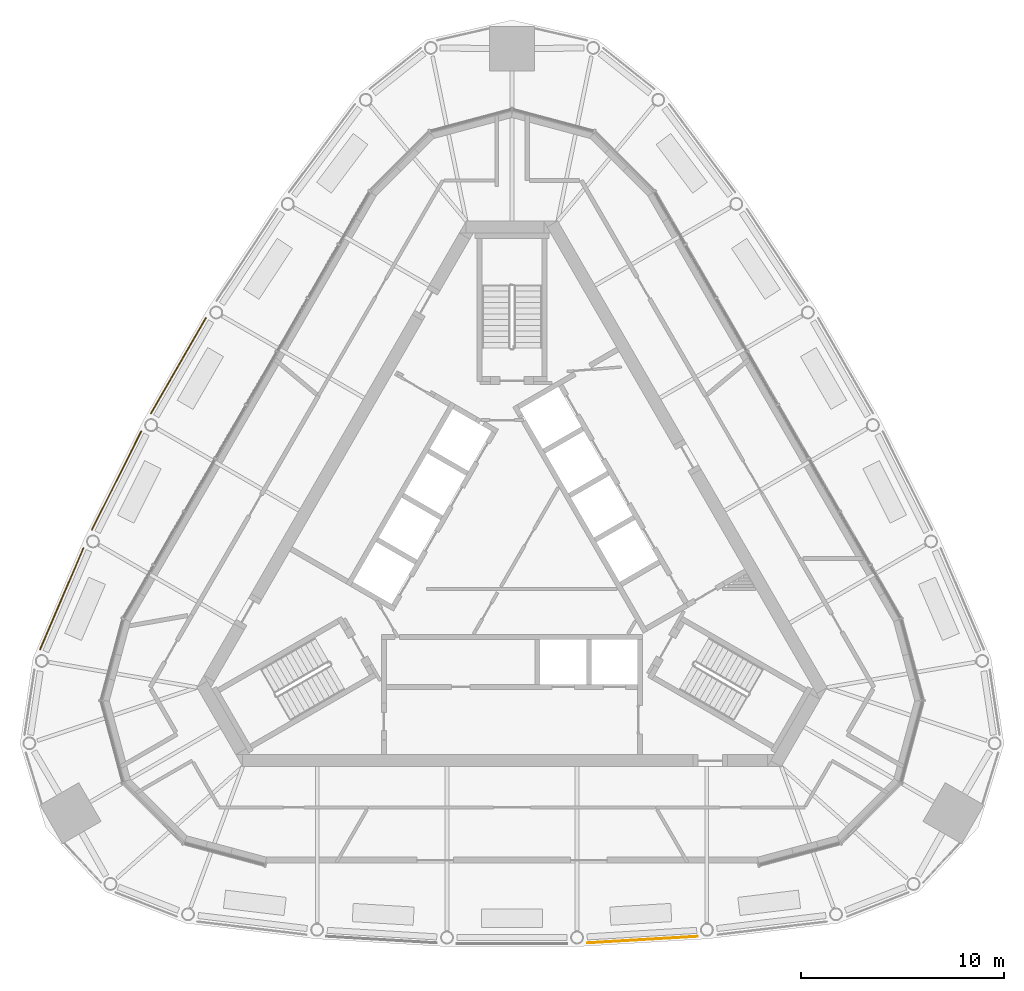
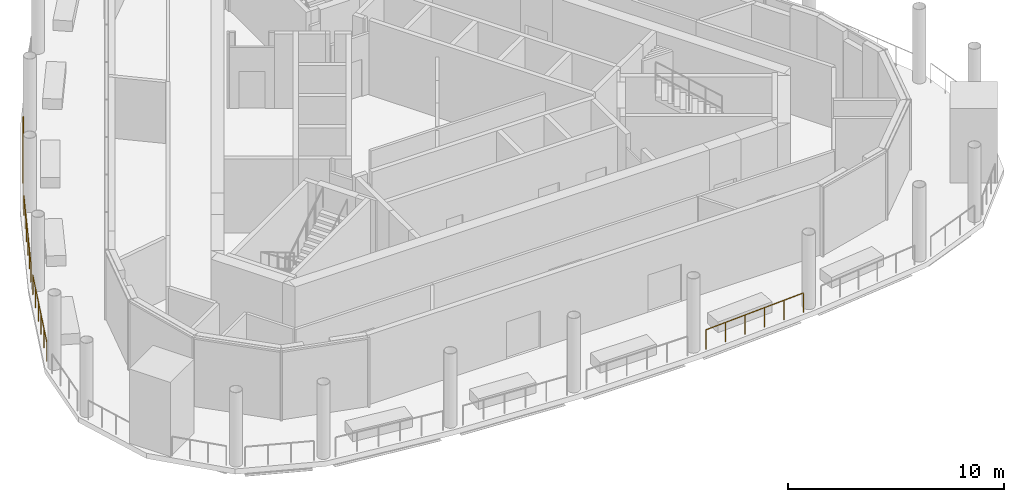
# One storey, part 11 of 15: 4 railings.
"""IFC4 building model written with IfcOpenShell, lengths in metres."""

import ifcopenshell
import ifcopenshell.guid

model = None  # the IFC model being written
_history = None  # IfcOwnerHistory: only IFC2X3 demands one
_inside = {}  # id of a spatial element -> (the spatial element, [elements in it])
_under = {}  # id of a project, library or spatial element -> (it, [spatial elements below it])
_declared = {}  # id of a project -> (the project, [libraries it declares])
_typed = {}  # id of a type object -> (the type object, [elements of that type])
_made_of = {}  # id of a material, layer set ... -> (it, [elements and type objects made of it])


def new_model(schema):
    """Start an empty IFC model of exactly this schema.

    Asked for "IFC4X3", IfcOpenShell would pick the latest addendum, in which some entities
    have other attributes; the version numbers below select the first issue.
    IFC2X3 requires an IfcOwnerHistory on every rooted entity: one is made here for all.
    """
    global model, _history
    if schema == "IFC4X3":
        model = ifcopenshell.file(schema_version=(4, 3, 0, 0))
    else:
        model = ifcopenshell.file(schema=schema)
    _inside.clear()
    _under.clear()
    _declared.clear()
    _typed.clear()
    _made_of.clear()
    _history = None
    if model.schema == "IFC2X3":
        org = make("IfcOrganization", Name="unknown")
        user = make(
            "IfcPersonAndOrganization",
            ThePerson=make("IfcPerson", FamilyName="unknown"),
            TheOrganization=org,
        )
        app = make(
            "IfcApplication",
            ApplicationDeveloper=org,
            Version="unknown",
            ApplicationFullName="unknown",
            ApplicationIdentifier="unknown",
        )
        _history = make(
            "IfcOwnerHistory",
            OwningUser=user,
            OwningApplication=app,
            ChangeAction="ADDED",
            CreationDate=0,
        )
    return model


def make(cls, **values):
    """One entity of the class cls with the attributes given. An attribute that is None is left unset."""
    return model.create_entity(
        cls, **{name: value for name, value in values.items() if value is not None}
    )


def rooted(cls, **values):
    """An entity with a GlobalId (a new one), such as an element, a storey or a relation."""
    return make(cls, GlobalId=ifcopenshell.guid.new(), OwnerHistory=_history, **values)


def si_unit(unit_type, name, prefix=None):
    """IfcSIUnit, for example si_unit("LENGTHUNIT", "METRE", prefix="MILLI")."""
    return make("IfcSIUnit", UnitType=unit_type, Prefix=prefix, Name=name)


def assignment(units):
    """IfcUnitAssignment: the units of a project."""
    return None if units is None else make("IfcUnitAssignment", Units=units)


def point(xyz):
    """IfcCartesianPoint."""
    return None if xyz is None else make("IfcCartesianPoint", Coordinates=xyz)


def direction(xyz):
    """IfcDirection."""
    return None if xyz is None else make("IfcDirection", DirectionRatios=xyz)


def frame(location, z_axis=None, x_axis=None):
    """IfcAxis2Placement3D, a coordinate frame: its origin and axes. An axis left out is left unset."""
    return make(
        "IfcAxis2Placement3D",
        Location=point(location),
        Axis=direction(z_axis),
        RefDirection=direction(x_axis),
    )


def frame_2d(location, x_axis=None):
    """IfcAxis2Placement2D, a coordinate frame in the plane: its origin and x axis."""
    return make(
        "IfcAxis2Placement2D", Location=point(location), RefDirection=direction(x_axis)
    )


def origin():
    """The frame at (0, 0, 0) with its axes left unset."""
    return frame((0.0, 0.0, 0.0))


def origin_2d():
    """The frame at (0, 0) in the plane with its x axis left unset."""
    return frame_2d((0.0, 0.0))


def place(relative_to, where):
    """IfcLocalPlacement: puts the frame where relative to a parent placement (None: the world)."""
    return make(
        "IfcLocalPlacement", PlacementRelTo=relative_to, RelativePlacement=where
    )


def context(
    kind, dimensions, precision=None, world=None, true_north=None, identifier=None
):
    """IfcGeometricRepresentationContext, for example the 3D "Model" context."""
    return make(
        "IfcGeometricRepresentationContext",
        ContextIdentifier=identifier,
        ContextType=kind,
        CoordinateSpaceDimension=dimensions,
        Precision=precision,
        WorldCoordinateSystem=world,
        TrueNorth=true_north,
    )


def subcontext(parent, identifier, kind, view, scale=None):
    """IfcGeometricRepresentationSubContext, for example "Body" below "Model"."""
    return make(
        "IfcGeometricRepresentationSubContext",
        ContextIdentifier=identifier,
        ContextType=kind,
        ParentContext=parent,
        TargetScale=scale,
        TargetView=view,
    )


def project(units=None, contexts=None):
    """IfcProject with its units and contexts."""
    return rooted(
        "IfcProject",
        Name="project",
        RepresentationContexts=contexts,
        UnitsInContext=assignment(units),
    )


def spatial(cls, under=None, at=None, **own):
    """A site, building, storey or space (cls), placed at a placement, below another one or the project."""
    s = rooted(cls, ObjectPlacement=at, **own)
    if under is not None:
        _under.setdefault(under.id(), (under, []))[1].append(s)
    return s


def profile(cls, at=None, kind="AREA", **sizes):
    """A parametric profile (cls). Its sizes go by their IFC names, for example OverallWidth=200.0."""
    return make(cls, ProfileType=kind, Position=at, **sizes)


def circle(**sizes):
    """IfcCircleProfileDef."""
    return profile("IfcCircleProfileDef", **sizes)


def extrude(swept, where, along, depth):
    """IfcExtrudedAreaSolid: the profile swept, set in the frame where, extruded along a direction by depth."""
    return make(
        "IfcExtrudedAreaSolid",
        SweptArea=swept,
        Position=where,
        ExtrudedDirection=direction(along),
        Depth=depth,
    )


def shape(context_of_items, identifier, shape_type, items):
    """IfcShapeRepresentation: the items that make up one representation, for example the "Body"."""
    return make(
        "IfcShapeRepresentation",
        ContextOfItems=context_of_items,
        RepresentationIdentifier=identifier,
        RepresentationType=shape_type,
        Items=items,
    )


def material(Name=None, Category=None):
    """IfcMaterial."""
    return make("IfcMaterial", Name=Name, Category=Category)


def made_of(thing, what):
    """Note that an element or type object is made of a material, layer set ...; save() writes the relation."""
    if what is not None:
        _made_of.setdefault(what.id(), (what, []))[1].append(thing)
    return thing


def type_object(cls, material=None, **own):
    """A type object (cls), such as IfcWallType, which elements share."""
    return made_of(rooted(cls, **own), material)


def element(
    cls,
    number,
    at=None,
    inside=None,
    cuts=None,
    type_object=None,
    material=None,
    context=None,
    identifier="Body",
    shape_type=None,
    held_by="IfcProductDefinitionShape",
    body=None,
    shapes=None,
    **own,
):
    """One element of the class cls, such as IfcWall. Its Tag is "e" and its number.

    at: its placement. inside: the storey or other place that contains it. cuts: it is an
    opening in that element (IfcRelVoidsElement). A single representation is given by context,
    identifier, shape_type and body (its items); several are given by shapes. held_by: the class
    of the entity that holds the representations. save() writes the other relations.
    """
    e = rooted(cls, Tag="e%d" % number, ObjectPlacement=at, **own)
    if body is not None:
        shapes = [shape(context, identifier, shape_type, body)]
    if shapes is not None:
        e.Representation = make(held_by, Representations=shapes)
    if inside is not None:
        _inside.setdefault(inside.id(), (inside, []))[1].append(e)
    if cuts is not None:
        rooted(
            "IfcRelVoidsElement", RelatingBuildingElement=cuts, RelatedOpeningElement=e
        )
    if type_object is not None:
        _typed.setdefault(type_object.id(), (type_object, []))[1].append(e)
    return made_of(e, material)


def aggregate(whole, parts):
    """IfcRelAggregates: a whole, such as a stair, and the parts it consists of."""
    return rooted("IfcRelAggregates", RelatingObject=whole, RelatedObjects=parts)


def save(model, path):
    """Write the relations noted so far, then the file.

    IfcRelAggregates (storeys below a building ...), IfcRelContainedInSpatialStructure (elements
    in a storey), IfcRelDefinesByType, IfcRelAssociatesMaterial and IfcRelDeclares: one each for
    every whole, place, type object, material and project.
    """
    for whole, parts in _under.values():
        aggregate(whole, parts)
    for where, things in _inside.values():
        rooted(
            "IfcRelContainedInSpatialStructure",
            RelatedElements=things,
            RelatingStructure=where,
        )
    for kind, things in _typed.values():
        rooted("IfcRelDefinesByType", RelatedObjects=things, RelatingType=kind)
    for what, things in _made_of.values():
        rooted("IfcRelAssociatesMaterial", RelatedObjects=things, RelatingMaterial=what)
    for by, libraries in _declared.values():
        rooted("IfcRelDeclares", RelatingContext=by, RelatedDefinitions=libraries)
    model.write(path)


model = new_model("IFC4")

# Units and contexts
model_context = context("Model", 3, precision=1e-05, world=origin(), true_north=direction((0.0, 1.0)))
body_context = subcontext(model_context, "Body", "Model", "MODEL_VIEW")
ifc_project = project(units=[si_unit("LENGTHUNIT", "METRE"), si_unit("AREAUNIT", "SQUARE_METRE"), si_unit("VOLUMEUNIT", "CUBIC_METRE"), si_unit("PLANEANGLEUNIT", "RADIAN"), si_unit("MASSUNIT", "GRAM", prefix="KILO")], contexts=[model_context])

# Site, building, storey
site_placement = place(None, origin())
site = spatial("IfcSite", under=ifc_project, at=site_placement, CompositionType="ELEMENT")
building_placement = place(site_placement, origin())
building = spatial("IfcBuilding", under=site, at=building_placement, Name="Mestral Congress Tower", CompositionType="ELEMENT")
storey_placement = place(building_placement, frame((0.0, 0.0, 327.60009765625)))
storey = spatial("IfcBuildingStorey", under=building, at=storey_placement, Name="L76", CompositionType="ELEMENT", Elevation=327.60009765625)

# Railings
ifc_material = material(Name="Stainless steel", Category="steel")
railing_type = type_object("IfcRailingType", Name="Facade guard 1120 steel and glass", PredefinedType="GUARDRAIL", material=ifc_material)
railing_1_placement = place(storey_placement, frame((3.713134765625, -18.925048828125, 0.0)))
element("IfcRailing", 1, at=railing_1_placement, inside=storey, type_object=railing_type, Name="Terrace guard F0-03", PredefinedType="GUARDRAIL", context=body_context, shape_type="SweptSolid", body=[
    extrude(circle(Radius=0.02392578125, at=origin_2d()), frame((0.0, 0.0, 1.09619140625), z_axis=(0.998221492823, 0.059614186786, 0.0), x_axis=(-0.059614186786, 0.998221492823, 0.0)), (0.0, 0.0, 1.0), 5.40576171875),
    extrude(circle(Radius=0.02099609375, at=origin_2d()), origin(), (0.0, 0.0, 1.0), 1.072021484375),
    extrude(circle(Radius=0.02099609375, at=origin_2d()), frame((1.079345703125, 0.064453125, 0.0)), (0.0, 0.0, 1.0), 1.072021484375),
    extrude(circle(Radius=0.02099609375, at=origin_2d()), frame((2.158447265625, 0.12890625, 0.0)), (0.0, 0.0, 1.0), 1.072021484375),
    extrude(circle(Radius=0.02099609375, at=origin_2d()), frame((3.23779296875, 0.193359375, 0.0)), (0.0, 0.0, 1.0), 1.072021484375),
    extrude(circle(Radius=0.02099609375, at=origin_2d()), frame((4.31689453125, 0.2578125, 0.0)), (0.0, 0.0, 1.0), 1.072021484375),
    extrude(circle(Radius=0.02099609375, at=origin_2d()), frame((5.396240234375, 0.322265625, 0.0)), (0.0, 0.0, 1.0), 1.072021484375),
])
railing_2_placement = place(storey_placement, frame((-15.064208984375, 11.818359375, 0.0)))
element("IfcRailing", 2, at=railing_2_placement, inside=storey, type_object=railing_type, Name="Terrace guard F2-02", PredefinedType="GUARDRAIL", context=body_context, shape_type="SweptSolid", body=[
    extrude(circle(Radius=0.02392578125, at=origin_2d()), frame((0.0, 0.0, 1.09619140625), z_axis=(-0.499990896557, -0.866030659596, 0.0), x_axis=(0.866030659596, -0.499990896557, 0.0)), (0.0, 0.0, 1.0), 5.40576171875),
    extrude(circle(Radius=0.02099609375, at=origin_2d()), origin(), (0.0, 0.0, 1.0), 1.072021484375),
    extrude(circle(Radius=0.02099609375, at=origin_2d()), frame((-0.54052734375, -0.936279296875, 0.0)), (0.0, 0.0, 1.0), 1.072021484375),
    extrude(circle(Radius=0.02099609375, at=origin_2d()), frame((-1.0810546875, -1.87255859375, 0.0)), (0.0, 0.0, 1.0), 1.072021484375),
    extrude(circle(Radius=0.02099609375, at=origin_2d()), frame((-1.621826171875, -2.80908203125, 0.0)), (0.0, 0.0, 1.0), 1.072021484375),
    extrude(circle(Radius=0.02099609375, at=origin_2d()), frame((-2.162353515625, -3.745361328125, 0.0)), (0.0, 0.0, 1.0), 1.072021484375),
    extrude(circle(Radius=0.02099609375, at=origin_2d()), frame((-2.702880859375, -4.681640625, 0.0)), (0.0, 0.0, 1.0), 1.072021484375),
])
railing_3_placement = place(storey_placement, frame((-18.24609375, 6.246826171875, 0.0)))
element("IfcRailing", 3, at=railing_3_placement, inside=storey, type_object=railing_type, Name="Terrace guard F2-03", PredefinedType="GUARDRAIL", context=body_context, shape_type="SweptSolid", body=[
    extrude(circle(Radius=0.02392578125, at=origin_2d()), frame((0.0, 0.0, 1.09619140625), z_axis=(-0.447466485607, -0.894300701251, 0.0), x_axis=(0.894300701251, -0.447466485607, 0.0)), (0.0, 0.0, 1.0), 5.40576171875),
    extrude(circle(Radius=0.02099609375, at=origin_2d()), origin(), (0.0, 0.0, 1.0), 1.072021484375),
    extrude(circle(Radius=0.02099609375, at=origin_2d()), frame((-0.48388671875, -0.966796875, 0.0)), (0.0, 0.0, 1.0), 1.072021484375),
    extrude(circle(Radius=0.02099609375, at=origin_2d()), frame((-0.967529296875, -1.933837890625, 0.0)), (0.0, 0.0, 1.0), 1.072021484375),
    extrude(circle(Radius=0.02099609375, at=origin_2d()), frame((-1.451416015625, -2.900634765625, 0.0)), (0.0, 0.0, 1.0), 1.072021484375),
    extrude(circle(Radius=0.02099609375, at=origin_2d()), frame((-1.93505859375, -3.86767578125, 0.0)), (0.0, 0.0, 1.0), 1.072021484375),
    extrude(circle(Radius=0.02099609375, at=origin_2d()), frame((-2.4189453125, -4.83447265625, 0.0)), (0.0, 0.0, 1.0), 1.072021484375),
])
railing_4_placement = place(storey_placement, frame((-21.090087890625, 0.49560546875, 0.0)))
element("IfcRailing", 4, at=railing_4_placement, inside=storey, type_object=railing_type, Name="Terrace guard F2-04", PredefinedType="GUARDRAIL", context=body_context, shape_type="SweptSolid", body=[
    extrude(circle(Radius=0.02392578125, at=origin_2d()), frame((0.0, 0.0, 1.09619140625), z_axis=(-0.39336965333, -0.919380397789, 0.0), x_axis=(0.919380397789, -0.39336965333, 0.0)), (0.0, 0.0, 1.0), 5.4150390625),
    extrude(circle(Radius=0.02099609375, at=origin_2d()), origin(), (0.0, 0.0, 1.0), 1.072021484375),
    extrude(circle(Radius=0.02099609375, at=origin_2d()), frame((-0.426025390625, -0.99560546875, 0.0)), (0.0, 0.0, 1.0), 1.072021484375),
    extrude(circle(Radius=0.02099609375, at=origin_2d()), frame((-0.85205078125, -1.991455078125, 0.0)), (0.0, 0.0, 1.0), 1.072021484375),
    extrude(circle(Radius=0.02099609375, at=origin_2d()), frame((-1.278076171875, -2.987060546875, 0.0)), (0.0, 0.0, 1.0), 1.072021484375),
    extrude(circle(Radius=0.02099609375, at=origin_2d()), frame((-1.7041015625, -3.98291015625, 0.0)), (0.0, 0.0, 1.0), 1.072021484375),
    extrude(circle(Radius=0.02099609375, at=origin_2d()), frame((-2.130126953125, -4.978515625, 0.0)), (0.0, 0.0, 1.0), 1.072021484375),
])

save(model, "model.ifc")
